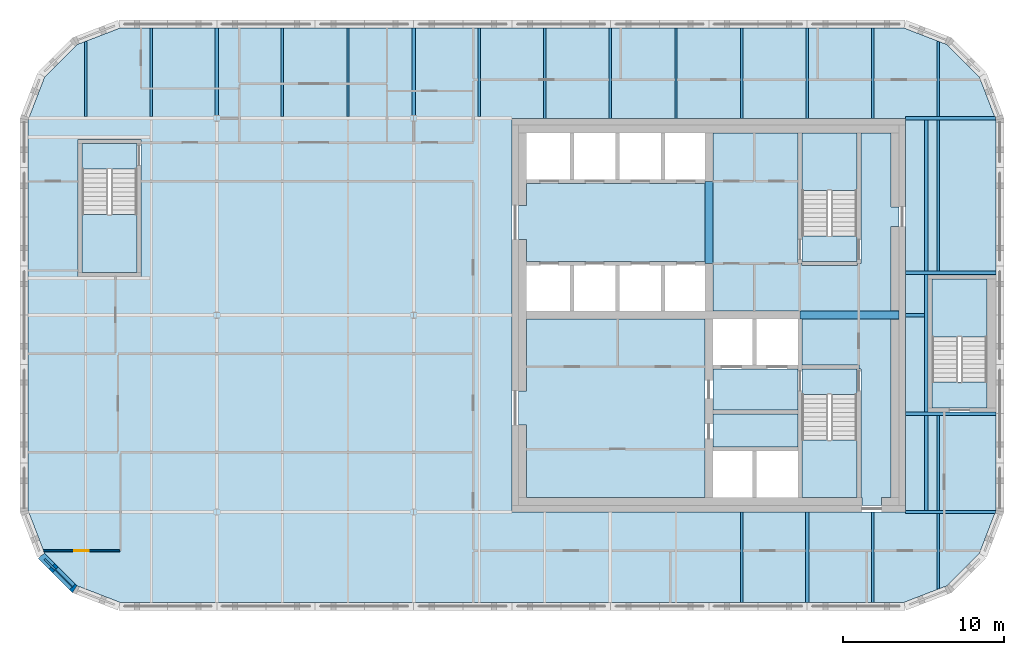
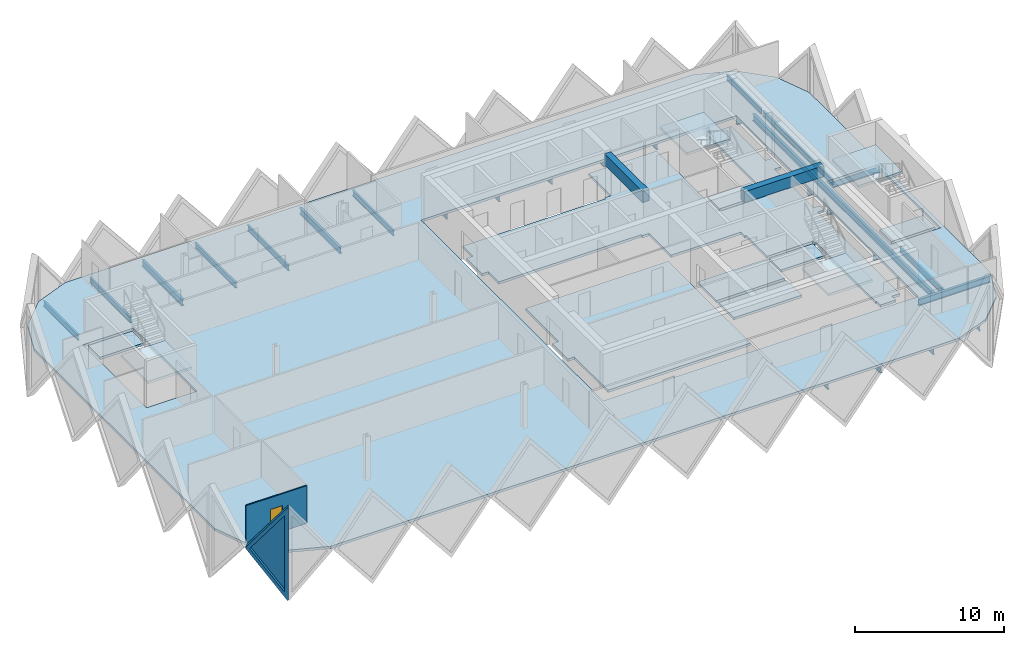
# One storey, part 2 of 10: 28 beams, 13 slabs, 2 walls, 1 door, 1 plate, 2 openings, 4 elements without a shape of their own.
"""IFC4 building model written with IfcOpenShell, lengths in metres."""

from ifc_helpers import new_model, si_unit, direction, frame, frame_2d, origin, origin_2d, place, context, subcontext, project, spatial, polyline, rectangle, i_section, outline, extrude, faceted_brep, source, transform, mapped, material, layer, layer_set, material_profile, profile_set, type_object, element, fill, aggregate, save


model = new_model("IFC4")

# Units and contexts
model_context = context("Model", 3, precision=1e-05, world=origin(), true_north=direction((0.0, 1.0)))
body_context = subcontext(model_context, "Body", "Model", "MODEL_VIEW")
ifc_project = project(units=[si_unit("LENGTHUNIT", "METRE"), si_unit("AREAUNIT", "SQUARE_METRE"), si_unit("VOLUMEUNIT", "CUBIC_METRE"), si_unit("PLANEANGLEUNIT", "RADIAN"), si_unit("MASSUNIT", "GRAM", prefix="KILO")], contexts=[model_context])

# Site, building, storey
site_placement = place(None, origin())
site = spatial("IfcSite", under=ifc_project, at=site_placement, CompositionType="ELEMENT")
building_placement = place(site_placement, origin())
building = spatial("IfcBuilding", under=site, at=building_placement, Name="Tessera Gate Towers", CompositionType="ELEMENT")
storey_placement = place(building_placement, frame((0.0, 0.0, 248.300048828125)))
storey = spatial("IfcBuildingStorey", under=building, at=storey_placement, Name="L62", CompositionType="ELEMENT", Elevation=248.300048828125)

# Beams
ifc_material_1 = material(Name="Concrete C40/50", Category="concrete")
ifc_material_profile_1 = material_profile(ifc_material_1, rectangle(XDim=0.5, YDim=0.89990234375, at=origin_2d()), Name="RC 500x900")
ifc_profile_set_1 = profile_set([ifc_material_profile_1], Name="Concrete C40/50")
beam_type_1 = type_object("IfcBeamType", Name="COUPLING BEAM 500x900 C40/50", PredefinedType="BEAM", material=ifc_profile_set_1)
beam_1_placement = place(storey_placement, frame((48.35009765625, 36.60009765625, 3.14990234375), z_axis=(1.0, 0.0, 0.0), x_axis=(0.0, 1.0, 0.0)))
element("IfcBeam", 1, at=beam_1_placement, inside=storey, type_object=beam_type_1, Name="L62 coupling beam 1", PredefinedType="BEAM", context=body_context, shape_type="SweptSolid", body=[
    extrude(rectangle(XDim=0.5, YDim=0.89990234375, at=origin_2d()), origin(), (0.0, 0.0, 1.0), 6.14990234375),
])
beam_2_placement = place(storey_placement, frame((42.699951171875, 39.800048828125, 3.14990234375), z_axis=(0.0, 1.0, 0.0), x_axis=(-1.0, 0.0, 0.0)))
element("IfcBeam", 2, at=beam_2_placement, inside=storey, type_object=beam_type_1, Name="L62 coupling beam 2", PredefinedType="BEAM", context=body_context, shape_type="SweptSolid", body=[
    extrude(rectangle(XDim=0.5, YDim=0.89990234375, at=origin_2d()), origin(), (0.0, 0.0, 1.0), 5.099853515625),
])
ifc_material_2 = material(Name="Steel 350W", Category="steel")
ifc_material_profile_2 = material_profile(ifc_material_2, i_section(OverallWidth=0.208984375, OverallDepth=0.532958984375, WebThickness=0.01025390625, FlangeThickness=0.015625, at=origin_2d()), Name="W530x92")
ifc_profile_set_2 = profile_set([ifc_material_profile_2], Name="Steel 350W")
beam_type_2 = type_object("IfcBeamType", Name="FLOOR GIRDER W530x92", PredefinedType="BEAM", material=ifc_profile_set_2)
beam_3_placement = place(storey_placement, frame((54.90087890625, 24.39990234375, -0.466552734375), z_axis=(1.0, 0.0, 0.0), x_axis=(0.0, 1.0, 0.0)))
element("IfcBeam", 3, at=beam_3_placement, inside=storey, type_object=beam_type_2, Name="T1-GD-L62-6128", PredefinedType="BEAM", context=body_context, shape_type="SweptSolid", body=[
    extrude(i_section(OverallWidth=0.208984375, OverallDepth=0.532958984375, WebThickness=0.01025390625, FlangeThickness=0.015625, at=origin_2d()), origin(), (0.0, 0.0, 1.0), 5.564208984375),
])
beam_4_placement = place(storey_placement, frame((54.89892578125, 36.60009765625, -0.466552734375), z_axis=(1.0, 0.0, 0.0), x_axis=(0.0, 1.0, 0.0)))
element("IfcBeam", 4, at=beam_4_placement, inside=storey, type_object=beam_type_2, Name="T1-GD-L62-6132", PredefinedType="BEAM", context=body_context, shape_type="SweptSolid", body=[
    extrude(i_section(OverallWidth=0.208984375, OverallDepth=0.532958984375, WebThickness=0.01025390625, FlangeThickness=0.015625, at=origin_2d()), origin(), (0.0, 0.0, 1.0), 1.176513671875),
])
beam_5_placement = place(storey_placement, frame((54.90087890625, 48.800048828125, -0.466552734375), z_axis=(1.0, 0.0, 0.0), x_axis=(0.0, 1.0, 0.0)))
element("IfcBeam", 5, at=beam_5_placement, inside=storey, type_object=beam_type_2, Name="T1-GD-L62-6136", PredefinedType="BEAM", context=body_context, shape_type="SweptSolid", body=[
    extrude(i_section(OverallWidth=0.208984375, OverallDepth=0.532958984375, WebThickness=0.01025390625, FlangeThickness=0.015625, at=origin_2d()), origin(), (0.0, 0.0, 1.0), 5.564208984375),
])
for number, where, z_axis, x_axis, name in (
    (6, (12.199951171875, 48.986572265625, -0.466552734375), (0.0, 1.0, 0.0), (-1.0, 0.0, 0.0), "T1-GD-L62-6140"),
    (7, (24.39990234375, 48.986572265625, -0.466552734375), (0.0, 1.0, 0.0), (-1.0, 0.0, 0.0), "T1-GD-L62-6144"),
):
    element("IfcBeam", number, at=place(storey_placement, frame(where, z_axis=z_axis, x_axis=x_axis)), inside=storey, type_object=beam_type_2, Name=name, PredefinedType="BEAM", context=body_context, shape_type="SweptSolid", body=[
        extrude(i_section(OverallWidth=0.208984375, OverallDepth=0.532958984375, WebThickness=0.01025390625, FlangeThickness=0.015625, at=origin_2d()), origin(), (0.0, 0.0, 1.0), 5.414306640625),
    ])
beam_6_placement = place(storey_placement, frame((48.800048828125, 18.799072265625, -0.466552734375), z_axis=(0.0, 1.0, 0.0), x_axis=(-1.0, 0.0, 0.0)))
element("IfcBeam", 8, at=beam_6_placement, inside=storey, type_object=beam_type_2, Name="T1-GD-L62-6146", PredefinedType="BEAM", context=body_context, shape_type="SweptSolid", body=[
    extrude(i_section(OverallWidth=0.208984375, OverallDepth=0.532958984375, WebThickness=0.01025390625, FlangeThickness=0.015625, at=origin_2d()), origin(), (0.0, 0.0, 1.0), 5.600830078125),
])
for number, where, z_axis, x_axis, name in (
    (9, (54.89892578125, 30.47998046875, -0.466552734375), (1.0, 0.0, 0.0), (0.0, 1.0, 0.0), "T1-GD-L62-6149"),
    (10, (54.89892578125, 39.219970703125, -0.466552734375), (1.0, 0.0, 0.0), (0.0, 1.0, 0.0), "T1-GD-L62-6150"),
):
    element("IfcBeam", number, at=place(storey_placement, frame(where, z_axis=z_axis, x_axis=x_axis)), inside=storey, type_object=beam_type_2, Name=name, PredefinedType="BEAM", context=body_context, shape_type="SweptSolid", body=[
        extrude(i_section(OverallWidth=0.208984375, OverallDepth=0.532958984375, WebThickness=0.01025390625, FlangeThickness=0.015625, at=origin_2d()), origin(), (0.0, 0.0, 1.0), 5.60205078125),
    ])
beam_7_placement = place(storey_placement, frame((56.179931640625, 24.50439453125, -0.466552734375), z_axis=(0.0, 1.0, 0.0), x_axis=(-1.0, 0.0, 0.0)))
element("IfcBeam", 11, at=beam_7_placement, inside=storey, type_object=beam_type_2, Name="T1-GD-L62-6151", PredefinedType="BEAM", context=body_context, shape_type="SweptSolid", body=[
    extrude(i_section(OverallWidth=0.208984375, OverallDepth=0.532958984375, WebThickness=0.01025390625, FlangeThickness=0.015625, at=origin_2d()), origin(), (0.0, 0.0, 1.0), 24.191162109375),
])
ifc_material_3 = material(Name="Steel 350W", Category="steel")
ifc_material_profile_3 = material_profile(ifc_material_3, i_section(OverallWidth=0.153076171875, OverallDepth=0.455078125, WebThickness=0.008056640625, FlangeThickness=0.01318359375, at=origin_2d()), Name="W460x60")
ifc_profile_set_3 = profile_set([ifc_material_profile_3], Name="Steel 350W")
beam_type_3 = type_object("IfcBeamType", Name="FLOOR SECONDARY W460x60", PredefinedType="BEAM", material=ifc_profile_set_3)
beam_8_placement = place(storey_placement, frame((4.066650390625, 48.904541015625, -0.427490234375), z_axis=(0.0, 1.0, 0.0), x_axis=(-1.0, 0.0, 0.0)))
element("IfcBeam", 12, at=beam_8_placement, inside=storey, type_object=beam_type_3, Name="T1-BM-L62-6155", PredefinedType="BEAM", context=body_context, shape_type="SweptSolid", body=[
    extrude(i_section(OverallWidth=0.153076171875, OverallDepth=0.455078125, WebThickness=0.008056640625, FlangeThickness=0.01318359375, at=origin_2d()), origin(), (0.0, 0.0, 1.0), 4.675048828125),
])
for number, where, z_axis, x_axis, name in (
    (13, (8.13330078125, 48.904541015625, -0.427490234375), (0.0, 1.0, 0.0), (-1.0, 0.0, 0.0), "T1-BM-L62-6159"),
    (14, (16.2666015625, 48.904541015625, -0.427490234375), (0.0, 1.0, 0.0), (-1.0, 0.0, 0.0), "T1-BM-L62-6163"),
    (15, (20.333251953125, 48.904541015625, -0.427490234375), (0.0, 1.0, 0.0), (-1.0, 0.0, 0.0), "T1-BM-L62-6167"),
    (16, (28.466796875, 48.904541015625, -0.427490234375), (0.0, 1.0, 0.0), (-1.0, 0.0, 0.0), "T1-BM-L62-6171"),
):
    element("IfcBeam", number, at=place(storey_placement, frame(where, z_axis=z_axis, x_axis=x_axis)), inside=storey, type_object=beam_type_3, Name=name, PredefinedType="BEAM", context=body_context, shape_type="SweptSolid", body=[
        extrude(i_section(OverallWidth=0.153076171875, OverallDepth=0.455078125, WebThickness=0.008056640625, FlangeThickness=0.01318359375, at=origin_2d()), origin(), (0.0, 0.0, 1.0), 5.495361328125),
    ])
for number, where, z_axis, x_axis, name in (
    (17, (32.533203125, 48.800048828125, -0.427490234375), (0.0, 1.0, 0.0), (-1.0, 0.0, 0.0), "T1-BM-L62-6173"),
    (18, (36.60009765625, 48.800048828125, -0.427490234375), (0.0, 1.0, 0.0), (-1.0, 0.0, 0.0), "T1-BM-L62-6174"),
    (19, (40.666748046875, 48.800048828125, -0.427490234375), (0.0, 1.0, 0.0), (-1.0, 0.0, 0.0), "T1-BM-L62-6176"),
    (20, (44.7333984375, 18.800048828125, -0.427490234375), (0.0, 1.0, 0.0), (-1.0, 0.0, 0.0), "T1-BM-L62-6177"),
    (21, (44.7333984375, 48.800048828125, -0.427490234375), (0.0, 1.0, 0.0), (-1.0, 0.0, 0.0), "T1-BM-L62-6178"),
    (22, (48.800048828125, 48.800048828125, -0.427490234375), (0.0, 1.0, 0.0), (-1.0, 0.0, 0.0), "T1-BM-L62-6179"),
    (23, (52.86669921875, 18.800048828125, -0.427490234375), (0.0, 1.0, 0.0), (-1.0, 0.0, 0.0), "T1-BM-L62-6180"),
    (24, (52.86669921875, 48.800048828125, -0.427490234375), (0.0, 1.0, 0.0), (-1.0, 0.0, 0.0), "T1-BM-L62-6181"),
):
    element("IfcBeam", number, at=place(storey_placement, frame(where, z_axis=z_axis, x_axis=x_axis)), inside=storey, type_object=beam_type_3, Name=name, PredefinedType="BEAM", context=body_context, shape_type="SweptSolid", body=[
        extrude(i_section(OverallWidth=0.153076171875, OverallDepth=0.455078125, WebThickness=0.008056640625, FlangeThickness=0.01318359375, at=origin_2d()), origin(), (0.0, 0.0, 1.0), 5.599853515625),
    ])
beam_9_placement = place(storey_placement, frame((56.933349609375, 19.620361328125, -0.427490234375), z_axis=(0.0, 1.0, 0.0), x_axis=(-1.0, 0.0, 0.0)))
element("IfcBeam", 25, at=beam_9_placement, inside=storey, type_object=beam_type_3, Name="T1-BM-L62-6182", PredefinedType="BEAM", context=body_context, shape_type="SweptSolid", body=[
    extrude(i_section(OverallWidth=0.153076171875, OverallDepth=0.455078125, WebThickness=0.008056640625, FlangeThickness=0.01318359375, at=origin_2d()), origin(), (0.0, 0.0, 1.0), 4.675048828125),
])
beam_10_placement = place(storey_placement, frame((56.933349609375, 24.50439453125, -0.427490234375), z_axis=(0.0, 1.0, 0.0), x_axis=(-1.0, 0.0, 0.0)))
element("IfcBeam", 26, at=beam_10_placement, inside=storey, type_object=beam_type_3, Name="T1-BM-L62-6183", PredefinedType="BEAM", context=body_context, shape_type="SweptSolid", body=[
    extrude(i_section(OverallWidth=0.153076171875, OverallDepth=0.455078125, WebThickness=0.008056640625, FlangeThickness=0.01318359375, at=origin_2d()), origin(), (0.0, 0.0, 1.0), 5.87109375),
])
beam_11_placement = place(storey_placement, frame((56.933349609375, 39.324462890625, -0.427490234375), z_axis=(0.0, 1.0, 0.0), x_axis=(-1.0, 0.0, 0.0)))
element("IfcBeam", 27, at=beam_11_placement, inside=storey, type_object=beam_type_3, Name="T1-BM-L62-6184", PredefinedType="BEAM", context=body_context, shape_type="SweptSolid", body=[
    extrude(i_section(OverallWidth=0.153076171875, OverallDepth=0.455078125, WebThickness=0.008056640625, FlangeThickness=0.01318359375, at=origin_2d()), origin(), (0.0, 0.0, 1.0), 9.37109375),
])
beam_12_placement = place(storey_placement, frame((56.933349609375, 48.904541015625, -0.427490234375), z_axis=(0.0, 1.0, 0.0), x_axis=(-1.0, 0.0, 0.0)))
element("IfcBeam", 28, at=beam_12_placement, inside=storey, type_object=beam_type_3, Name="T1-BM-L62-6185", PredefinedType="BEAM", context=body_context, shape_type="SweptSolid", body=[
    extrude(i_section(OverallWidth=0.153076171875, OverallDepth=0.455078125, WebThickness=0.008056640625, FlangeThickness=0.01318359375, at=origin_2d()), origin(), (0.0, 0.0, 1.0), 4.675048828125),
])

# Slabs
ifc_material_4 = material(Name="Concrete C35/45", Category="concrete")
ifc_layer_1 = layer(ifc_material_4, 0.199951171875)
ifc_layer_set_1 = layer_set([ifc_layer_1], Name="COMPOSITE FLOOR 200")
slab_type_1 = type_object("IfcSlabType", Name="COMPOSITE FLOOR 200", PredefinedType="FLOOR", material=ifc_layer_set_1)
slab_1_placement = place(storey_placement, frame((0.0, 0.0, -0.199951171875)))
element("IfcSlab", 29, at=slab_1_placement, inside=storey, type_object=slab_type_1, Name="T1-L62", PredefinedType="FLOOR", context=body_context, shape_type="SweptSolid", body=[
    extrude(outline(polyline([(0.5, 24.4931640625), (1.526123046875, 21.8330078125), (3.533203125, 19.826171875), (6.193115234375, 18.800048828125), (54.806884765625, 18.800048828125), (57.466796875, 19.826171875), (59.473876953125, 21.8330078125), (60.5, 24.4931640625), (60.5, 48.706787109375), (59.473876953125, 51.366943359375), (57.466796875, 53.373779296875), (54.806884765625, 54.39990234375), (6.193115234375, 54.39990234375), (3.533203125, 53.373779296875), (1.526123046875, 51.366943359375), (0.5, 48.706787109375), (0.5, 24.4931640625)]), holes=[polyline([(3.60009765625, 39.0), (3.60009765625, 47.5), (7.5, 47.5), (7.5, 39.0), (3.60009765625, 39.0)]), polyline([(30.5, 24.39990234375), (30.5, 48.800048828125), (54.89990234375, 48.800048828125), (54.89990234375, 24.39990234375), (30.5, 24.39990234375)]), polyline([(56.300048828125, 30.60009765625), (56.300048828125, 39.10009765625), (60.199951171875, 39.10009765625), (60.199951171875, 30.60009765625), (56.300048828125, 30.60009765625)])]), origin(), (0.0, 0.0, 1.0), 0.199951171875),
])
ifc_material_5 = material(Name="Concrete C35/45", Category="concrete")
ifc_layer_2 = layer(ifc_material_5, 0.199951171875)
ifc_layer_set_2 = layer_set([ifc_layer_2], Name="CORE FLOOR SLAB 200")
slab_type_2 = type_object("IfcSlabType", Name="CORE FLOOR SLAB 200", PredefinedType="FLOOR", material=ifc_layer_set_2)
slab_2_placement = place(storey_placement, frame((0.0, 0.0, -0.199951171875)))
element("IfcSlab", 30, at=slab_2_placement, inside=storey, type_object=slab_type_2, Name="L62 core floor slab", PredefinedType="FLOOR", context=body_context, shape_type="SweptSolid", body=[
    extrude(outline(polyline([(42.449951171875, 44.89990234375), (42.449951171875, 44.77490234375), (31.39990234375, 44.77490234375), (31.39990234375, 43.39990234375), (30.89990234375, 43.39990234375), (30.89990234375, 41.300048828125), (31.39990234375, 41.300048828125), (31.39990234375, 39.925048828125), (42.449951171875, 39.925048828125), (42.449951171875, 39.800048828125), (42.949951171875, 39.800048828125), (42.949951171875, 36.85009765625), (48.35009765625, 36.85009765625), (48.35009765625, 36.35009765625), (48.47509765625, 36.35009765625), (48.47509765625, 33.52490234375), (52.0, 33.52490234375), (52.0, 33.27490234375), (52.125, 33.27490234375), (52.125, 25.300048828125), (52.199951171875, 25.300048828125), (52.199951171875, 24.800048828125), (53.39990234375, 24.800048828125), (53.39990234375, 25.300048828125), (54.0, 25.300048828125), (54.0, 36.320068359375), (54.5, 36.320068359375), (54.5, 36.8798828125), (54.0, 36.8798828125), (54.0, 42.10009765625), (54.5, 42.10009765625), (54.5, 43.300048828125), (54.0, 43.300048828125), (54.0, 47.89990234375), (52.125, 47.89990234375), (52.125, 39.800048828125), (51.875, 39.800048828125), (51.875, 39.675048828125), (48.47509765625, 39.675048828125), (48.47509765625, 39.800048828125), (48.22509765625, 39.800048828125), (48.22509765625, 47.89990234375), (42.949951171875, 47.89990234375), (42.949951171875, 44.89990234375), (42.449951171875, 44.89990234375)])), origin(), (0.0, 0.0, 1.0), 0.199951171875),
])
slab_3_placement = place(storey_placement, frame((0.0, 0.0, -0.199951171875)))
element("IfcSlab", 31, at=slab_3_placement, inside=storey, type_object=slab_type_2, Name="L62 core floor slab", PredefinedType="FLOOR", context=body_context, shape_type="SweptSolid", body=[
    extrude(outline(polyline([(31.39990234375, 36.35009765625), (31.39990234375, 31.89990234375), (30.89990234375, 31.89990234375), (30.89990234375, 29.800048828125), (31.39990234375, 29.800048828125), (31.39990234375, 25.300048828125), (42.449951171875, 25.300048828125), (42.449951171875, 36.35009765625), (31.39990234375, 36.35009765625)])), origin(), (0.0, 0.0, 1.0), 0.199951171875),
])
slab_4_placement = place(storey_placement, frame((0.0, 0.0, -0.199951171875)))
element("IfcSlab", 32, at=slab_4_placement, inside=storey, type_object=slab_type_2, Name="L62 core floor slab", PredefinedType="FLOOR", context=body_context, shape_type="SweptSolid", body=[
    extrude(outline(polyline([(42.949951171875, 33.27490234375), (42.949951171875, 30.72509765625), (48.22509765625, 30.72509765625), (48.22509765625, 33.27490234375), (42.949951171875, 33.27490234375)])), origin(), (0.0, 0.0, 1.0), 0.199951171875),
])
slab_5_placement = place(storey_placement, frame((0.0, 0.0, -0.199951171875)))
element("IfcSlab", 33, at=slab_5_placement, inside=storey, type_object=slab_type_2, Name="L62 core floor slab", PredefinedType="FLOOR", context=body_context, shape_type="SweptSolid", body=[
    extrude(outline(polyline([(48.22509765625, 30.47509765625), (42.949951171875, 30.47509765625), (42.949951171875, 28.425048828125), (48.22509765625, 28.425048828125), (48.22509765625, 30.47509765625)])), origin(), (0.0, 0.0, 1.0), 0.199951171875),
])
slab_6_placement = place(storey_placement, frame((0.0, 0.0, -0.199951171875)))
element("IfcSlab", 34, at=slab_6_placement, inside=storey, type_object=slab_type_2, Name="L62 core floor slab", PredefinedType="FLOOR", context=body_context, shape_type="SweptSolid", body=[
    extrude(outline(polyline([(51.875, 31.675048828125), (51.875, 33.27490234375), (48.47509765625, 33.27490234375), (48.47509765625, 31.675048828125), (51.875, 31.675048828125)])), origin(), (0.0, 0.0, 1.0), 0.199951171875),
])
slab_7_placement = place(storey_placement, frame((0.0, 0.0, -0.199951171875)))
element("IfcSlab", 35, at=slab_7_placement, inside=storey, type_object=slab_type_2, Name="L62 core floor slab", PredefinedType="FLOOR", context=body_context, shape_type="SweptSolid", body=[
    extrude(outline(polyline([(48.47509765625, 41.52490234375), (48.47509765625, 39.925048828125), (51.875, 39.925048828125), (51.875, 41.52490234375), (48.47509765625, 41.52490234375)])), origin(), (0.0, 0.0, 1.0), 0.199951171875),
])
slab_8_placement = place(storey_placement, frame((0.0, 0.0, -0.199951171875)))
element("IfcSlab", 36, at=slab_8_placement, inside=storey, type_object=slab_type_2, Name="L62 ST3 floor landing", PredefinedType="FLOOR", context=body_context, shape_type="SweptSolid", body=[
    extrude(outline(polyline([(3.85009765625, 47.25), (3.85009765625, 45.64990234375), (7.25, 45.64990234375), (7.25, 47.25), (3.85009765625, 47.25)])), origin(), (0.0, 0.0, 1.0), 0.199951171875),
])
slab_9_placement = place(storey_placement, frame((0.0, 0.0, -0.199951171875)))
element("IfcSlab", 37, at=slab_9_placement, inside=storey, type_object=slab_type_2, Name="L62 ST5 floor landing", PredefinedType="FLOOR", context=body_context, shape_type="SweptSolid", body=[
    extrude(outline(polyline([(59.949951171875, 30.85009765625), (59.949951171875, 32.449951171875), (56.550048828125, 32.449951171875), (56.550048828125, 30.85009765625), (59.949951171875, 30.85009765625)])), origin(), (0.0, 0.0, 1.0), 0.199951171875),
])

# Stair, slab
ifc_material_6 = material(Name="Concrete C40/50", Category="concrete")
stair_type_1 = type_object("IfcStairType", Name="EXIT STAIR ST1 1600", PredefinedType="HALF_TURN_STAIR", material=ifc_material_6)
stair_1_placement = place(storey_placement, origin())
stair_1 = element("IfcStair", 38, at=stair_1_placement, inside=storey, type_object=stair_type_1, Name="L62 Protected Exit Stair ST1", PredefinedType="HALF_TURN_STAIR")
ifc_material_7 = material(Name="Concrete C40/50", Category="concrete")
ifc_layer_3 = layer(ifc_material_7, 0.199951171875)
ifc_layer_set_3 = layer_set([ifc_layer_3], Name="EXIT STAIR LANDING 200")
slab_type_3 = type_object("IfcSlabType", Name="EXIT STAIR LANDING 200", PredefinedType="LANDING", material=ifc_layer_set_3)
slab_10_placement = place(storey_placement, frame((0.0, 0.0, 1.699951171875)))
slab_10 = element("IfcSlab", 39, at=slab_10_placement, type_object=slab_type_3, Name="ST1 landing 1", PredefinedType="LANDING", context=body_context, shape_type="SweptSolid", body=[
    extrude(outline(polyline([(48.47509765625, 28.875), (48.47509765625, 25.300048828125), (51.875, 25.300048828125), (51.875, 28.875), (48.47509765625, 28.875)])), origin(), (0.0, 0.0, 1.0), 0.199951171875),
])
aggregate(stair_1, [slab_10])

ifc_material_8 = material(Name="Concrete C40/50", Category="concrete")
stair_type_2 = type_object("IfcStairType", Name="EXIT STAIR ST2 1600", PredefinedType="HALF_TURN_STAIR", material=ifc_material_8)
stair_2_placement = place(storey_placement, origin())
stair_2 = element("IfcStair", 40, at=stair_2_placement, inside=storey, type_object=stair_type_2, Name="L62 Protected Exit Stair ST2", PredefinedType="HALF_TURN_STAIR")
slab_11_placement = place(storey_placement, frame((0.0, 0.0, 1.699951171875)))
slab_11 = element("IfcSlab", 41, at=slab_11_placement, type_object=slab_type_3, Name="ST2 landing 1", PredefinedType="LANDING", context=body_context, shape_type="SweptSolid", body=[
    extrude(outline(polyline([(51.875, 44.324951171875), (51.875, 47.89990234375), (48.47509765625, 47.89990234375), (48.47509765625, 44.324951171875), (51.875, 44.324951171875)])), origin(), (0.0, 0.0, 1.0), 0.199951171875),
])
aggregate(stair_2, [slab_11])

ifc_material_9 = material(Name="Concrete C40/50", Category="concrete")
stair_type_3 = type_object("IfcStairType", Name="EXIT STAIR ST3 1600", PredefinedType="HALF_TURN_STAIR", material=ifc_material_9)
stair_3_placement = place(storey_placement, origin())
stair_3 = element("IfcStair", 42, at=stair_3_placement, inside=storey, type_object=stair_type_3, Name="L62 West Exit Stair ST3", PredefinedType="HALF_TURN_STAIR")
slab_12_placement = place(storey_placement, frame((0.0, 0.0, 1.699951171875)))
slab_12 = element("IfcSlab", 43, at=slab_12_placement, type_object=slab_type_3, Name="ST3 landing 1", PredefinedType="LANDING", context=body_context, shape_type="SweptSolid", body=[
    extrude(outline(polyline([(3.85009765625, 42.85009765625), (3.85009765625, 39.25), (7.25, 39.25), (7.25, 42.85009765625), (3.85009765625, 42.85009765625)])), origin(), (0.0, 0.0, 1.0), 0.199951171875),
])
aggregate(stair_3, [slab_12])

ifc_material_10 = material(Name="Concrete C40/50", Category="concrete")
stair_type_4 = type_object("IfcStairType", Name="EXIT STAIR ST5 1600", PredefinedType="HALF_TURN_STAIR", material=ifc_material_10)
stair_4_placement = place(storey_placement, origin())
stair_4 = element("IfcStair", 44, at=stair_4_placement, inside=storey, type_object=stair_type_4, Name="L62 East Exit Stair ST5", PredefinedType="HALF_TURN_STAIR")
slab_13_placement = place(storey_placement, frame((0.0, 0.0, 1.699951171875)))
slab_13 = element("IfcSlab", 45, at=slab_13_placement, type_object=slab_type_3, Name="ST5 landing 1", PredefinedType="LANDING", context=body_context, shape_type="SweptSolid", body=[
    extrude(outline(polyline([(59.949951171875, 35.25), (59.949951171875, 38.85009765625), (56.550048828125, 38.85009765625), (56.550048828125, 35.25), (59.949951171875, 35.25)])), origin(), (0.0, 0.0, 1.0), 0.199951171875),
])
aggregate(stair_4, [slab_13])

# Wall, opening, door
ifc_material_11 = material(Name="Glass", Category="glass")
ifc_layer_4 = layer(ifc_material_11, 0.10009765625)
ifc_layer_set_4 = layer_set([ifc_layer_4], Name="GLAZED PARTITION 100")
wall_type_1 = type_object("IfcWallType", Name="GLAZED PARTITION 100", PredefinedType="PARTITIONING", material=ifc_layer_set_4)
wall_1_placement = place(storey_placement, frame((1.461669921875, 22.0, 0.0), z_axis=(0.0, 0.0, 1.0), x_axis=(1.0, 0.0, 0.0)))
wall_1 = element("IfcWall", 46, at=wall_1_placement, inside=storey, type_object=wall_type_1, Name="T1-L62-PW-004", PredefinedType="PARTITIONING", context=body_context, shape_type="SweptSolid", body=[
    extrude(rectangle(XDim=4.71240234375, YDim=0.10009765625, at=frame_2d((2.356201171875, 0.0))), origin(), (0.0, 0.0, 1.0), 3.06689453125),
])
shared_shape_1 = source(origin(), body_context, "Body", "SweptSolid", [
    extrude(rectangle(XDim=0.89990234375, YDim=2.10009765625, at=frame_2d((0.449951171875, 1.050048828125))), frame((0.0, 0.06005859375, 0.0), z_axis=(0.0, -1.0, 0.0), x_axis=(1.0, 0.0, 0.0)), (0.0, 0.0, 1.0), 0.1201171875),
])
opening_1_placement = place(wall_1_placement, frame((1.89990234375, 0.0, 0.0)))
opening_1 = element("IfcOpeningElement", 47, at=opening_1_placement, cuts=wall_1, Name="Opening D690-A21-06", PredefinedType="OPENING", context=body_context, shape_type="MappedRepresentation", body=[
    mapped(shared_shape_1, transform((0.0, 0.0, 0.0), scale=1.0)),
])
ifc_material_12 = material(Name="Glass in aluminium frame", Category="aluminium")
door_type = type_object("IfcDoorType", Name="GLAZED DOOR 900 NOT RATED", OperationType="NOTDEFINED", PredefinedType="DOOR", material=ifc_material_12)
shared_shape_2 = source(origin(), body_context, "Body", "SweptSolid", [
    extrude(rectangle(XDim=0.89990234375, YDim=2.10009765625, at=frame_2d((0.449951171875, 1.050048828125))), frame((0.0, 0.02490234375, 0.0), z_axis=(0.0, -1.0, 0.0), x_axis=(1.0, 0.0, 0.0)), (0.0, 0.0, 1.0), 0.050048828125),
])
door_placement = place(opening_1_placement, origin())
door = element("IfcDoor", 48, at=door_placement, inside=storey, type_object=door_type, Name="T1-L62-PD-017", OperationType="SINGLE_SWING_LEFT", OverallHeight=2.10009765625, OverallWidth=0.89990234375, PredefinedType="DOOR", context=body_context, shape_type="MappedRepresentation", body=[
    mapped(shared_shape_2, transform((0.0, 0.0, 0.0), scale=1.0)),
])
fill(opening_1, door)

# Wall, opening, plate
ifc_material_13 = material(Name="Precast concrete C60/75 white", Category="concrete")
ifc_layer_5 = layer(ifc_material_13, 0.5)
ifc_layer_set_5 = layer_set([ifc_layer_5], Name="TS3 corner tessera")
wall_type_2 = type_object("IfcWallType", Name="TS3 corner tessera", PredefinedType="SOLIDWALL", material=ifc_layer_set_5)
shared_shape_3 = source(origin(), body_context, "Body", "Brep", [
    faceted_brep([(2.944091796875, -0.25, 0.0), (2.9970703125, -0.25, 0.068115234375), (2.9970703125, -0.25, 7.531982421875), (2.944091796875, -0.25, 7.60009765625), (0.0, -0.25, 3.800048828125), (0.052978515625, 0.25, 3.868408203125), (2.89111328125, 0.25, 7.531982421875), (2.89111328125, 0.25, 0.068115234375), (0.052978515625, 0.25, 3.731689453125), (2.944091796875, 0.000244140625, 0.0), (2.944091796875, 0.000244140625, 7.60009765625), (0.0, 0.0, 3.800048828125)], [[[0, 1, 2, 3, 4]], [[5, 6, 7, 8]], [[1, 0, 9]], [[10, 3, 2]], [[6, 5, 11, 4, 3, 10]], [[8, 7, 9, 0, 4, 11]], [[8, 11, 5]], [[1, 9, 7, 6, 10, 2]]]),
])
wall_2_placement = place(storey_placement, frame((1.31201171875, 21.69384765625, -3.800048828125), z_axis=(0.0, 0.0, 1.0), x_axis=(0.707066050402, -0.707147509625, 0.0)))
wall_2 = element("IfcWall", 49, at=wall_2_placement, inside=storey, type_object=wall_type_2, Name="Precast corner tessera T1 TS3-1431", PredefinedType="SOLIDWALL", context=body_context, shape_type="MappedRepresentation", body=[
    mapped(shared_shape_3, transform((0.0, 0.0, 0.0), scale=1.0)),
])
shared_shape_4 = source(origin(), body_context, "Body", "SweptSolid", [
    extrude(outline(polyline([(2.744140625, 6.93359375), (0.316162109375, 3.800048828125), (2.744140625, 0.666259765625), (2.744140625, 6.93359375)])), frame((0.0, 0.260009765625, 0.0), z_axis=(0.0, -1.0, 0.0), x_axis=(1.0, 0.0, 0.0)), (0.0, 0.0, 1.0), 0.52001953125),
])
opening_2_placement = place(wall_2_placement, origin())
opening_2 = element("IfcOpeningElement", 50, at=opening_2_placement, cuts=wall_2, Name="Opening T1-PL2-2231", PredefinedType="OPENING", context=body_context, shape_type="MappedRepresentation", body=[
    mapped(shared_shape_4, transform((0.0, 0.0, 0.0), scale=1.0)),
])
ifc_material_14 = material(Name="Low-e laminated glass", Category="glass")
ifc_layer_6 = layer(ifc_material_14, 0.06005859375)
ifc_layer_set_6 = layer_set([ifc_layer_6], Name="PL2 rhombic pane")
plate_type = type_object("IfcPlateType", Name="PL2 rhombic pane", PredefinedType="SHEET", material=ifc_layer_set_6)
shared_shape_5 = source(origin(), body_context, "Body", "SweptSolid", [
    extrude(outline(polyline([(2.744140625, 6.93359375), (0.316162109375, 3.800048828125), (2.744140625, 0.666259765625), (2.744140625, 6.93359375)])), frame((0.0, 0.030029296875, 0.0), z_axis=(0.0, -1.0, 0.0), x_axis=(1.0, 0.0, 0.0)), (0.0, 0.0, 1.0), 0.06005859375),
])
plate_placement = place(opening_2_placement, origin())
plate = element("IfcPlate", 51, at=plate_placement, inside=storey, type_object=plate_type, Name="Glass pane T1 PL2-2231", PredefinedType="SHEET", context=body_context, shape_type="MappedRepresentation", body=[
    mapped(shared_shape_5, transform((0.0, 0.0, 0.0), scale=1.0)),
])
fill(opening_2, plate)

save(model, "model.ifc")
